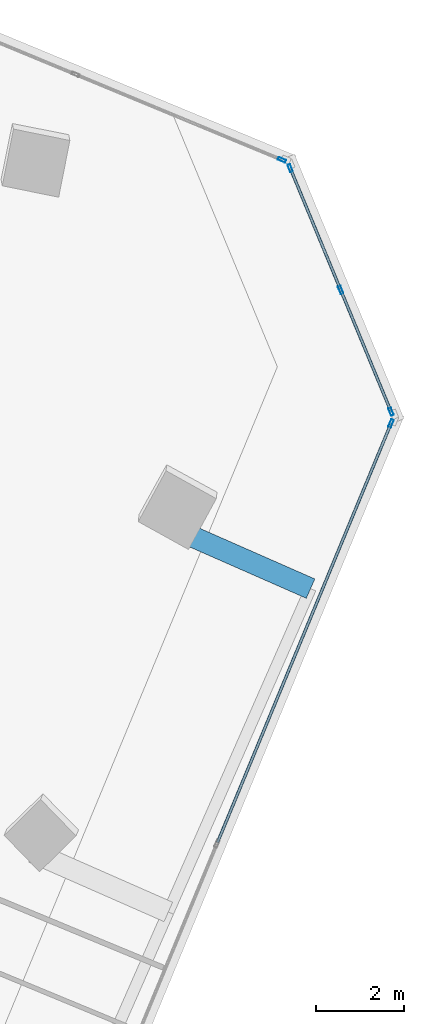
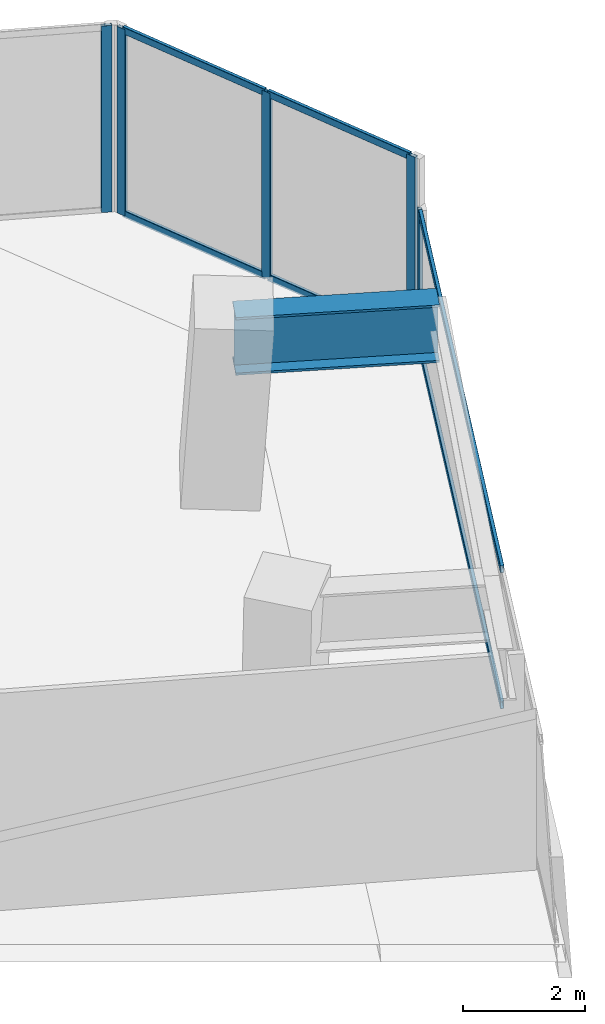
# One storey, part 10 of 23: 11 members, 1 beam, 3 elements without a shape of their own.
"""IFC4 building model written with IfcOpenShell, lengths in metres."""

from ifc_helpers import new_model, si_unit, direction, frame, origin, origin_2d, place, context, subcontext, project, spatial, hollow_rectangle, i_section, extrude, source, transform, mapped, material, material_profile, profile_set, type_object, element, aggregate, save


model = new_model("IFC4")

# Units and contexts
model_context = context("Model", 3, precision=1e-05, world=origin(), true_north=direction((0.0, 1.0)))
body_context = subcontext(model_context, "Body", "Model", "MODEL_VIEW")
ifc_project = project(units=[si_unit("LENGTHUNIT", "METRE"), si_unit("AREAUNIT", "SQUARE_METRE"), si_unit("VOLUMEUNIT", "CUBIC_METRE"), si_unit("PLANEANGLEUNIT", "RADIAN"), si_unit("MASSUNIT", "GRAM", prefix="KILO")], contexts=[model_context])

# Site, building, storey
site_placement = place(None, origin())
site = spatial("IfcSite", under=ifc_project, at=site_placement, CompositionType="ELEMENT")
building_placement = place(site_placement, origin())
building = spatial("IfcBuilding", under=site, at=building_placement, Name="Torre Montelarca", CompositionType="ELEMENT")
storey_placement = place(building_placement, frame((0.0, 0.0, 145.60009765625)))
storey = spatial("IfcBuildingStorey", under=building, at=storey_placement, Name="L32", CompositionType="ELEMENT", Elevation=145.60009765625)

# Beam
ifc_material_1 = material(Name="Steel ASTM A572 Grade 50", Category="steel")
ifc_material_profile_1 = material_profile(ifc_material_1, i_section(OverallWidth=0.47998046875, OverallDepth=1.14990234375, WebThickness=0.02197265625, FlangeThickness=0.044921875, at=origin_2d()), Name="PG1150X480X22X45", Category="steel")
ifc_profile_set_1 = profile_set([ifc_material_profile_1], Name="Steel ASTM A572 Grade 50")
beam_type = type_object("IfcBeamType", Name="BM-CG-PG1400-EXT", PredefinedType="USERDEFINED", material=ifc_profile_set_1)
shared_shape_1 = source(origin(), body_context, "Body", "SweptSolid", [
    extrude(i_section(OverallWidth=0.47998046875, OverallDepth=1.14990234375, WebThickness=0.02197265625, FlangeThickness=0.044921875, at=origin_2d()), origin(), (0.0, 0.0, 1.0), 3.349853515625),
])
beam_placement = place(storey_placement, frame((48.977783203125, 28.649658203125, 3.385009765625), z_axis=(0.915313957765, -0.402741056661, 0.0), x_axis=(0.402741056661, 0.915313957765, 0.0)))
element("IfcBeam", 1, at=beam_placement, inside=storey, type_object=beam_type, Name="L32 Sliding Tray Cantilever Girder East Y=40m (FLR)", ObjectType="CANTILEVER GIRDER", PredefinedType="USERDEFINED", context=body_context, shape_type="MappedRepresentation", body=[
    mapped(shared_shape_1, transform((0.0, 0.0, 0.0), scale=1.0)),
])

# Curtain wall, members
ifc_material_2 = material(Name="Insulated low-E laminated glass", Category="glass")
curtain_wall_type = type_object("IfcCurtainWallType", Name="CW-SYS-Z2", PredefinedType="USERDEFINED", material=ifc_material_2)
curtain_wall_1_placement = place(storey_placement, origin())
curtain_wall_1 = element("IfcCurtainWall", 2, at=curtain_wall_1_placement, inside=storey, type_object=curtain_wall_type, Name="L32 Curtain Wall Run CW-T3-L32-E07-B1", ObjectType="UNITISED GLAZING", PredefinedType="USERDEFINED")
ifc_material_3 = material(Name="Anodised aluminium AA 6063-T6", Category="aluminium")
ifc_material_profile_2 = material_profile(ifc_material_3, hollow_rectangle(XDim=0.06494140625, YDim=0.139892578125, WallThickness=0.00390625, InnerFilletRadius=0.00390625, OuterFilletRadius=0.008056640625, at=origin_2d()), Name="ALU65X140X4", Category="aluminium")
ifc_profile_set_2 = profile_set([ifc_material_profile_2], Name="Anodised aluminium AA 6063-T6")
member_type_1 = type_object("IfcMemberType", Name="CWT-ALU140", PredefinedType="USERDEFINED", material=ifc_profile_set_2)
shared_shape_2 = source(origin(), body_context, "Body", "SweptSolid", [
    extrude(hollow_rectangle(XDim=0.06494140625, YDim=0.139892578125, WallThickness=0.00390625, InnerFilletRadius=0.00390625, OuterFilletRadius=0.008056640625, at=origin_2d()), origin(), (0.0, 0.0, 1.0), 2.918701171875),
])
member_1_placement = place(storey_placement, frame((53.854736328125, 31.33935546875, 0.032470703125), z_axis=(-0.382612831859, 0.923908773038, 0.0), x_axis=(-0.923908773038, -0.382612831859, 0.0)))
member_1 = element("IfcMember", 3, at=member_1_placement, type_object=member_type_1, Name="CW transom 1.1", ObjectType="TRANSOM", PredefinedType="USERDEFINED", context=body_context, shape_type="MappedRepresentation", body=[
    mapped(shared_shape_2, transform((0.0, 0.0, 0.0), scale=1.0)),
])
member_2_placement = place(storey_placement, frame((53.854736328125, 31.33935546875, 3.6875), z_axis=(-0.382612831859, 0.923908773038, 0.0), x_axis=(-0.923908773038, -0.382612831859, 0.0)))
member_2 = element("IfcMember", 4, at=member_2_placement, type_object=member_type_1, Name="CW transom 1.2", ObjectType="TRANSOM", PredefinedType="USERDEFINED", context=body_context, shape_type="MappedRepresentation", body=[
    mapped(shared_shape_2, transform((0.0, 0.0, 0.0), scale=1.0)),
])
shared_shape_3 = source(origin(), body_context, "Body", "SweptSolid", [
    extrude(hollow_rectangle(XDim=0.06494140625, YDim=0.139892578125, WallThickness=0.00390625, InnerFilletRadius=0.00390625, OuterFilletRadius=0.008056640625, at=origin_2d()), origin(), (0.0, 0.0, 1.0), 2.91845703125),
])
member_3_placement = place(storey_placement, frame((52.713134765625, 34.095947265625, 0.032470703125), z_axis=(-0.382713808028, 0.923866949915, 0.0), x_axis=(-0.923866949915, -0.382713808028, 0.0)))
member_3 = element("IfcMember", 5, at=member_3_placement, type_object=member_type_1, Name="CW transom 2.1", ObjectType="TRANSOM", PredefinedType="USERDEFINED", context=body_context, shape_type="MappedRepresentation", body=[
    mapped(shared_shape_3, transform((0.0, 0.0, 0.0), scale=1.0)),
])
member_4_placement = place(storey_placement, frame((52.713134765625, 34.095947265625, 3.6875), z_axis=(-0.382713808028, 0.923866949915, 0.0), x_axis=(-0.923866949915, -0.382713808028, 0.0)))
member_4 = element("IfcMember", 6, at=member_4_placement, type_object=member_type_1, Name="CW transom 2.2", ObjectType="TRANSOM", PredefinedType="USERDEFINED", context=body_context, shape_type="MappedRepresentation", body=[
    mapped(shared_shape_3, transform((0.0, 0.0, 0.0), scale=1.0)),
])
ifc_material_profile_3 = material_profile(ifc_material_3, hollow_rectangle(XDim=0.06494140625, YDim=0.179931640625, WallThickness=0.00390625, InnerFilletRadius=0.00390625, OuterFilletRadius=0.008056640625, at=origin_2d()), Name="ALU65X180X4", Category="aluminium")
ifc_profile_set_3 = profile_set([ifc_material_profile_3], Name="Anodised aluminium AA 6063-T6")
member_type_2 = type_object("IfcMemberType", Name="CWM-ALU180", PredefinedType="MULLION", material=ifc_profile_set_3)
shared_shape_4 = source(origin(), body_context, "Body", "SweptSolid", [
    extrude(hollow_rectangle(XDim=0.06494140625, YDim=0.179931640625, WallThickness=0.00390625, InnerFilletRadius=0.00390625, OuterFilletRadius=0.008056640625, at=origin_2d()), origin(), (0.0, 0.0, 1.0), 3.719970703125),
])
member_5_placement = place(storey_placement, frame((53.8671875, 31.309326171875, 0.0), z_axis=(0.0, 0.0, 1.0), x_axis=(-0.923886107621, -0.38266755826, 0.0)))
member_5 = element("IfcMember", 7, at=member_5_placement, type_object=member_type_2, Name="CW mullion 1", PredefinedType="MULLION", context=body_context, shape_type="MappedRepresentation", body=[
    mapped(shared_shape_4, transform((0.0, 0.0, 0.0), scale=1.0)),
])
member_6_placement = place(storey_placement, frame((52.7255859375, 34.06591796875, 0.0), z_axis=(0.0, 0.0, 1.0), x_axis=(-0.923886107621, -0.38266755826, 0.0)))
member_6 = element("IfcMember", 8, at=member_6_placement, type_object=member_type_2, Name="CW mullion 2", PredefinedType="MULLION", context=body_context, shape_type="MappedRepresentation", body=[
    mapped(shared_shape_4, transform((0.0, 0.0, 0.0), scale=1.0)),
])
member_7_placement = place(storey_placement, frame((51.583740234375, 36.822265625, 0.0), z_axis=(0.0, 0.0, 1.0), x_axis=(-0.923886107621, -0.38266755826, 0.0)))
member_7 = element("IfcMember", 9, at=member_7_placement, type_object=member_type_2, Name="CW mullion 3", PredefinedType="MULLION", context=body_context, shape_type="MappedRepresentation", body=[
    mapped(shared_shape_4, transform((0.0, 0.0, 0.0), scale=1.0)),
])
aggregate(curtain_wall_1, [member_5, member_6, member_7, member_1, member_2, member_3, member_4])

# Curtain wall, member
curtain_wall_2_placement = place(storey_placement, origin())
curtain_wall_2 = element("IfcCurtainWall", 10, at=curtain_wall_2_placement, inside=storey, type_object=curtain_wall_type, Name="L32 Curtain Wall Run CW-T3-L32-E08-B1", ObjectType="UNITISED GLAZING", PredefinedType="USERDEFINED")
member_8_placement = place(storey_placement, frame((51.39501953125, 37.01123046875, 0.0), z_axis=(0.0, 0.0, 1.0), x_axis=(-0.382680914615, -0.923880575394, 0.0)))
member_8 = element("IfcMember", 11, at=member_8_placement, type_object=member_type_2, Name="CW mullion 1", PredefinedType="MULLION", context=body_context, shape_type="MappedRepresentation", body=[
    mapped(shared_shape_4, transform((0.0, 0.0, 0.0), scale=1.0)),
])
aggregate(curtain_wall_2, [member_8])

# Curtain wall, members
curtain_wall_3_placement = place(storey_placement, origin())
curtain_wall_3 = element("IfcCurtainWall", 12, at=curtain_wall_3_placement, inside=storey, type_object=curtain_wall_type, Name="L32 Curtain Wall Run CW-T3-L32-E06-B1", ObjectType="UNITISED GLAZING", PredefinedType="USERDEFINED")
shared_shape_5 = source(origin(), body_context, "Body", "SweptSolid", [
    extrude(hollow_rectangle(XDim=0.06494140625, YDim=0.179931640625, WallThickness=0.00390625, InnerFilletRadius=0.00390625, OuterFilletRadius=0.008056640625, at=origin_2d()), origin(), (0.0, 0.0, 1.0), 2.77490234375),
])
member_9_placement = place(storey_placement, frame((53.8671875, 31.042236328125, 0.0), z_axis=(0.0, 0.0, 1.0), x_axis=(-0.923881379508, 0.38267897329, 0.0)))
member_9 = element("IfcMember", 13, at=member_9_placement, type_object=member_type_2, Name="CW mullion 3", PredefinedType="MULLION", context=body_context, shape_type="MappedRepresentation", body=[
    mapped(shared_shape_5, transform((0.0, 0.0, 0.0), scale=1.0)),
])
shared_shape_6 = source(origin(), body_context, "Body", "SweptSolid", [
    extrude(hollow_rectangle(XDim=0.06494140625, YDim=0.139892578125, WallThickness=0.00390625, InnerFilletRadius=0.00390625, OuterFilletRadius=0.008056640625, at=origin_2d()), origin(), (0.0, 0.0, 1.0), 10.236328125),
])
member_10_placement = place(storey_placement, frame((49.9375, 21.554931640625, 0.032470703125), z_axis=(0.382675477391, 0.923882827529, 0.0), x_axis=(-0.923882827529, 0.382675477391, 0.0)))
member_10 = element("IfcMember", 14, at=member_10_placement, type_object=member_type_1, Name="CW transom 2.1", ObjectType="TRANSOM", PredefinedType="USERDEFINED", context=body_context, shape_type="MappedRepresentation", body=[
    mapped(shared_shape_6, transform((0.0, 0.0, 0.0), scale=1.0)),
])
member_11_placement = place(storey_placement, frame((49.9375, 21.554931640625, 2.742431640625), z_axis=(0.382675477391, 0.923882827529, 0.0), x_axis=(-0.923882827529, 0.382675477391, 0.0)))
member_11 = element("IfcMember", 15, at=member_11_placement, type_object=member_type_1, Name="CW transom 2.2", ObjectType="TRANSOM", PredefinedType="USERDEFINED", context=body_context, shape_type="MappedRepresentation", body=[
    mapped(shared_shape_6, transform((0.0, 0.0, 0.0), scale=1.0)),
])
aggregate(curtain_wall_3, [member_9, member_10, member_11])

save(model, "model.ifc")
